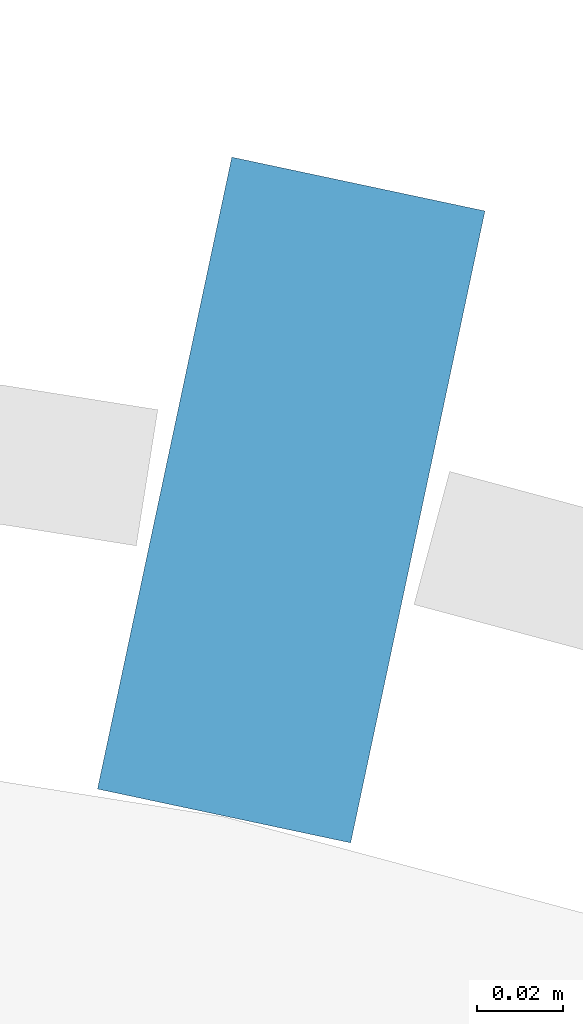
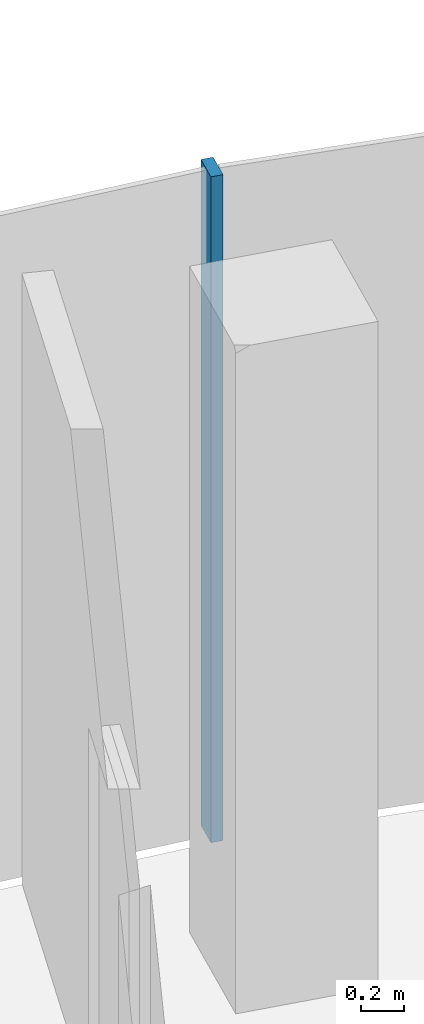
# One storey, part 7 of 18: 1 member, 1 element without a shape of its own.
"""IFC4 building model written with IfcOpenShell, lengths in metres."""

from ifc_helpers import new_model, si_unit, direction, frame, origin, origin_2d, place, context, subcontext, project, spatial, rectangle, extrude, material, layer, layer_set, material_profile, profile_set, type_object, element, aggregate, save


model = new_model("IFC4")

# Units and contexts
model_context = context("Model", 3, precision=1e-05, world=origin(), true_north=direction((0.0, 1.0)))
body_context = subcontext(model_context, "Body", "Model", "MODEL_VIEW")
ifc_project = project(units=[si_unit("LENGTHUNIT", "METRE"), si_unit("AREAUNIT", "SQUARE_METRE"), si_unit("VOLUMEUNIT", "CUBIC_METRE"), si_unit("PLANEANGLEUNIT", "RADIAN"), si_unit("MASSUNIT", "GRAM", prefix="KILO")], contexts=[model_context])

# Site, building, storey
site_placement = place(None, origin())
site = spatial("IfcSite", under=ifc_project, at=site_placement, CompositionType="ELEMENT")
building_placement = place(site_placement, origin())
building = spatial("IfcBuilding", under=site, at=building_placement, Name="Stone Belt Terrace Tower", CompositionType="ELEMENT")
storey_placement = place(building_placement, frame((0.0, 0.0, 265.60009765625)))
storey = spatial("IfcBuildingStorey", under=building, at=storey_placement, Name="L64", CompositionType="ELEMENT", Elevation=265.60009765625)

# Curtain wall, member
ifc_material = material(Name="Aluminium 6063-T6 anodised frame", Category="aluminium")
ifc_layer = layer(ifc_material, 0.14990234375)
ifc_layer_set = layer_set([ifc_layer], Name="CW-A unitised convex-face curtain wall")
curtain_wall_type = type_object("IfcCurtainWallType", Name="CW-A unitised convex-face curtain wall", PredefinedType="NOTDEFINED", material=ifc_layer_set)
curtain_wall_placement = place(storey_placement, origin())
curtain_wall = element("IfcCurtainWall", 1, at=curtain_wall_placement, inside=storey, type_object=curtain_wall_type, Name="CW-A convex face L64", PredefinedType="NOTDEFINED")
ifc_material_profile = material_profile(ifc_material, rectangle(XDim=0.14990234375, YDim=0.06005859375, at=origin_2d()), Name="Aluminium 6063-T6 60x150")
ifc_profile_set = profile_set([ifc_material_profile], Name="Aluminium 6063-T6 anodised frame")
member_type = type_object("IfcMemberType", Name="CW-A mullion 60 x 150", PredefinedType="MULLION", material=ifc_profile_set)
member_placement = place(storey_placement, frame((13.841796875, 65.120361328125, 0.0), z_axis=(0.0, 0.0, 1.0), x_axis=(-0.207911690818, -0.978147600734, 0.0)))
member = element("IfcMember", 2, at=member_placement, type_object=member_type, Name="CW-A mullion 6", PredefinedType="MULLION", context=body_context, shape_type="SweptSolid", body=[
    extrude(rectangle(XDim=0.14990234375, YDim=0.06005859375, at=origin_2d()), origin(), (0.0, 0.0, 1.0), 3.7998046875),
])
aggregate(curtain_wall, [member])

save(model, "model.ifc")
